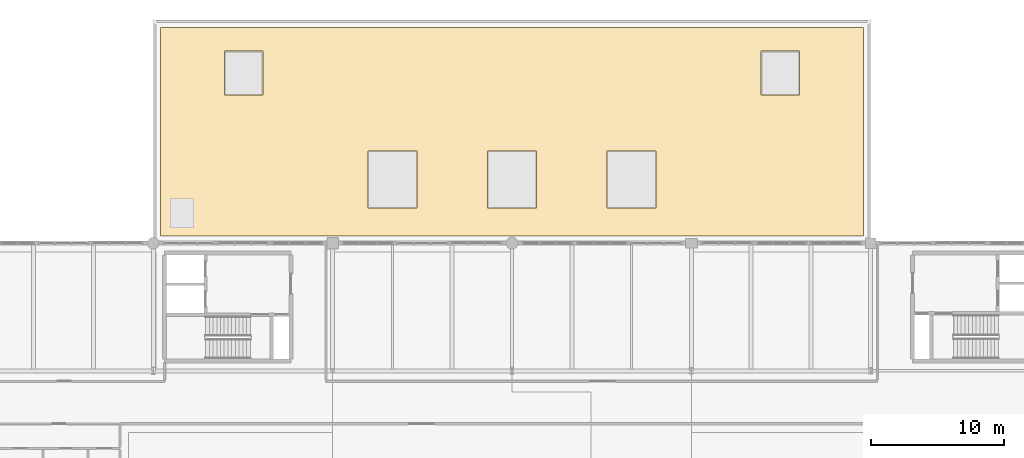
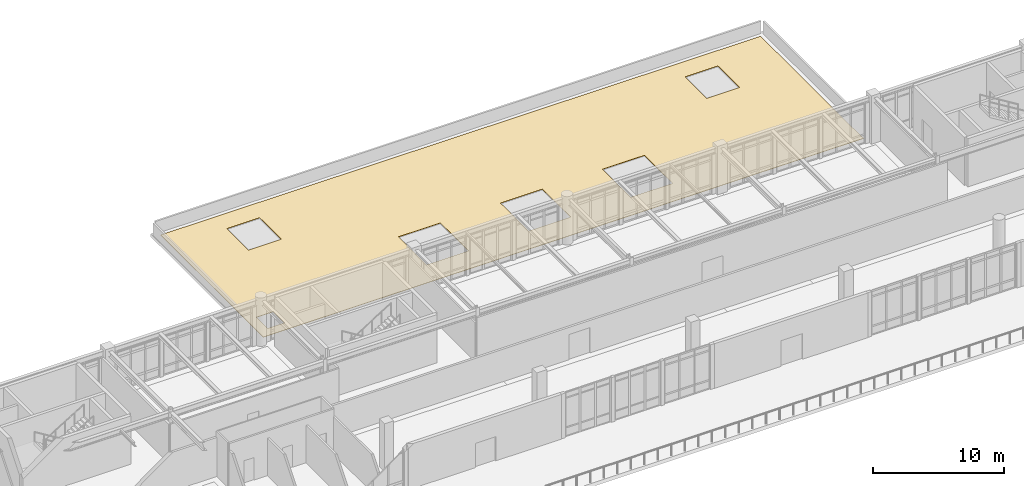
# One storey, part 55 of 55: 1 covering.
"""IFC4 building model written with IfcOpenShell, lengths in metres."""

from ifc_helpers import new_model, si_unit, direction, frame, origin, place, context, subcontext, project, spatial, polyline, outline, extrude, material, layer, layer_set, type_object, element, save


model = new_model("IFC4")

# Units and contexts
model_context = context("Model", 3, precision=1e-05, world=origin(), true_north=direction((0.0, 1.0)))
body_context = subcontext(model_context, "Body", "Model", "MODEL_VIEW")
ifc_project = project(units=[si_unit("LENGTHUNIT", "METRE"), si_unit("AREAUNIT", "SQUARE_METRE"), si_unit("VOLUMEUNIT", "CUBIC_METRE"), si_unit("PLANEANGLEUNIT", "RADIAN"), si_unit("MASSUNIT", "GRAM", prefix="KILO")], contexts=[model_context])

# Site, building, storey
site_placement = place(None, origin())
site = spatial("IfcSite", under=ifc_project, at=site_placement, CompositionType="ELEMENT")
building_placement = place(site_placement, origin())
building = spatial("IfcBuilding", under=site, at=building_placement, Name="Fikremerkos Civic Library", CompositionType="ELEMENT")
storey_placement = place(building_placement, frame((0.0, 0.0, 18.89990234375)))
storey = spatial("IfcBuildingStorey", under=building, at=storey_placement, Name="L04", CompositionType="ELEMENT", Elevation=18.89990234375)

# Covering
ifc_material = material(Name="Polymer modified bitumen roofing")
ifc_layer = layer(ifc_material, 0.034912109375, Name="Polymer modified bitumen roofing")
ifc_layer_set = layer_set([ifc_layer], Name="Polymer modified bitumen roofing")
covering_type = type_object("IfcCoveringType", Name="Insulated roof waterproofing membrane RFG-01", PredefinedType="ROOFING", material=ifc_layer_set)
covering_placement = place(storey_placement, origin())
element("IfcCovering", 1, at=covering_placement, inside=storey, type_object=covering_type, Name="Roof waterproofing membrane RFG-01 RF-L04-V4A", PredefinedType="ROOFING", context=body_context, shape_type="SweptSolid", body=[
    extrude(outline(polyline([(46.75, 31.75), (99.64990234375, 31.75), (99.64990234375, 47.449951171875), (46.75, 47.449951171875), (46.75, 31.75)]), holes=[polyline([(62.35009765625, 33.85009765625), (66.050048828125, 33.85009765625), (66.050048828125, 38.14990234375), (62.35009765625, 38.14990234375), (62.35009765625, 33.85009765625)]), polyline([(71.35009765625, 33.85009765625), (75.050048828125, 33.85009765625), (75.050048828125, 38.14990234375), (71.35009765625, 38.14990234375), (71.35009765625, 33.85009765625)]), polyline([(80.35009765625, 33.85009765625), (84.050048828125, 33.85009765625), (84.050048828125, 38.14990234375), (80.35009765625, 38.14990234375), (80.35009765625, 33.85009765625)]), polyline([(51.550048828125, 42.35009765625), (54.449951171875, 42.35009765625), (54.449951171875, 45.64990234375), (51.550048828125, 45.64990234375), (51.550048828125, 42.35009765625)]), polyline([(91.949951171875, 42.35009765625), (94.85009765625, 42.35009765625), (94.85009765625, 45.64990234375), (91.949951171875, 45.64990234375), (91.949951171875, 42.35009765625)]), polyline([(47.60009765625, 32.60009765625), (49.10009765625, 32.60009765625), (49.10009765625, 34.300048828125), (47.60009765625, 34.300048828125), (47.60009765625, 32.60009765625)])]), origin(), (0.0, 0.0, 1.0), 0.03515625),
])

save(model, "model.ifc")
